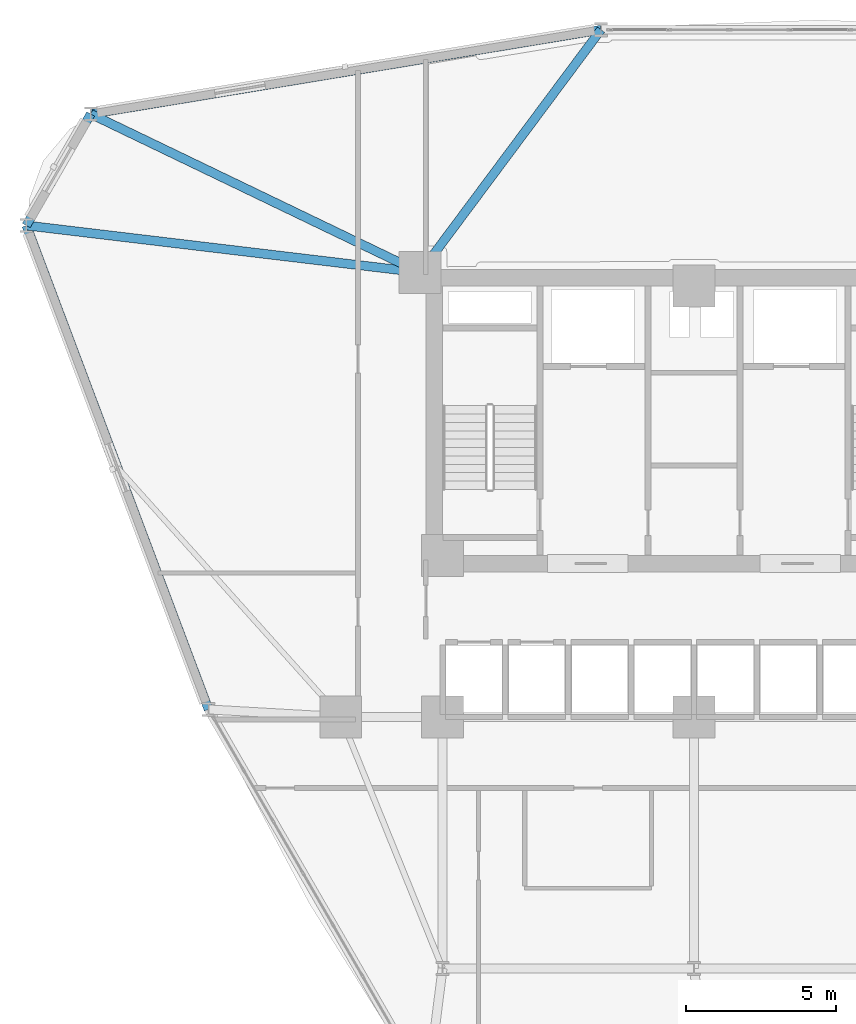
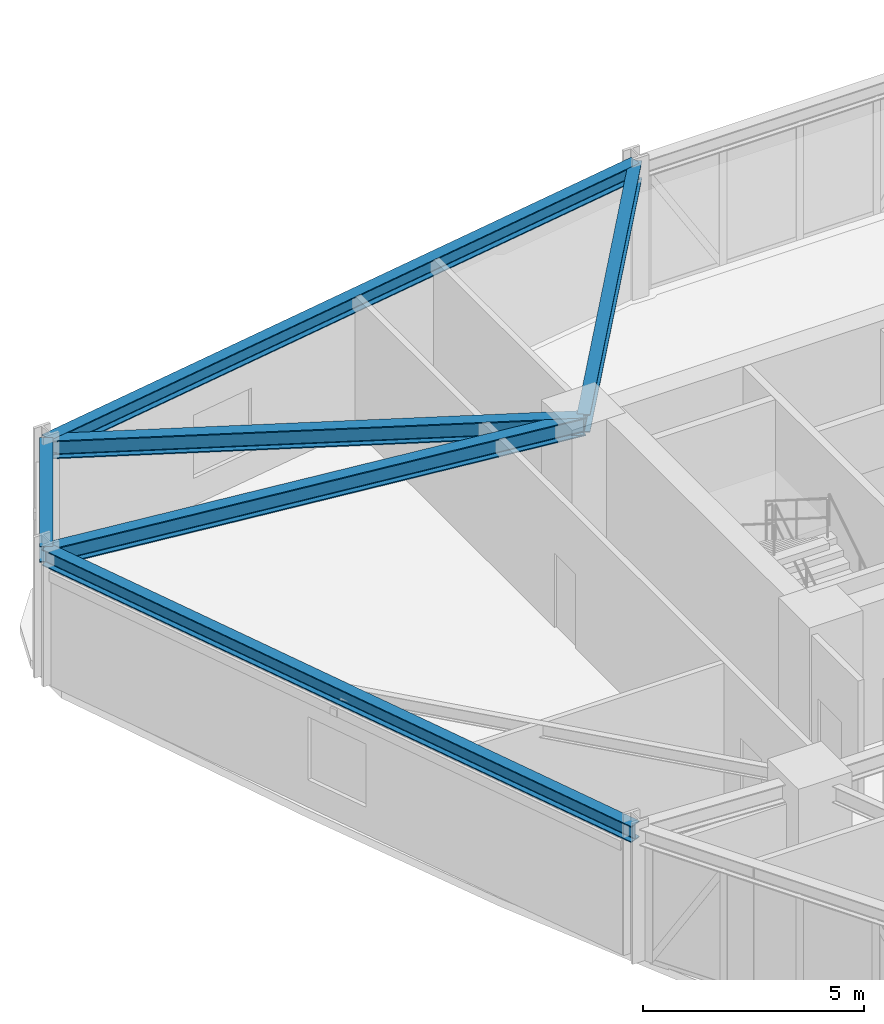
# One storey, part 9 of 20: 6 beams.
"""IFC4 building model written with IfcOpenShell, lengths in metres."""

from ifc_helpers import new_model, si_unit, derived_unit, direction, frame, origin, origin_2d, place, context, subcontext, project, spatial, i_section, extrude, source, transform, mapped, material, material_profile, profile_set, type_object, element, save


model = new_model("IFC4")

# Units and contexts
model_context = context("Model", 3, precision=1e-05, world=origin(), true_north=direction((0.0, 1.0)))
body_context = subcontext(model_context, "Body", "Model", "MODEL_VIEW")
ifc_project = project(units=[si_unit("LENGTHUNIT", "METRE"), si_unit("AREAUNIT", "SQUARE_METRE"), si_unit("VOLUMEUNIT", "CUBIC_METRE"), si_unit("PLANEANGLEUNIT", "RADIAN"), si_unit("MASSUNIT", "GRAM", prefix="KILO"), derived_unit("THERMALTRANSMITTANCEUNIT", [(si_unit("POWERUNIT", "WATT"), 1), (si_unit("LENGTHUNIT", "METRE"), -2), (si_unit("THERMODYNAMICTEMPERATUREUNIT", "KELVIN"), -1)])], contexts=[model_context])

# Site, building, storey
site_placement = place(None, origin())
site = spatial("IfcSite", under=ifc_project, at=site_placement, CompositionType="ELEMENT")
building_placement = place(site_placement, origin())
building = spatial("IfcBuilding", under=site, at=building_placement, Name="Korsvarv Bourse and Concert Hall", CompositionType="ELEMENT")
storey_placement = place(building_placement, frame((0.0, 0.0, 91.199951171875)))
storey = spatial("IfcBuildingStorey", under=building, at=storey_placement, Name="L22", CompositionType="ELEMENT", Elevation=91.199951171875)

# Beams
ifc_material = material(Name="Steel S355", Category="steel")
ifc_material_profile_1 = material_profile(ifc_material, i_section(OverallWidth=0.300048828125, OverallDepth=0.449951171875, WebThickness=0.013916015625, FlangeThickness=0.02587890625, FilletRadius=0.02099609375, at=origin_2d()), Name="HEB 450")
ifc_profile_set_1 = profile_set([ifc_material_profile_1], Name="Steel S355")
beam_type_1 = type_object("IfcBeamType", Name="BM-HEB450", PredefinedType="SPANDREL", material=ifc_profile_set_1)
shared_shape_1 = source(origin(), body_context, "Body", "SweptSolid", [
    extrude(i_section(OverallWidth=0.300048828125, OverallDepth=0.449951171875, WebThickness=0.013916015625, FlangeThickness=0.02587890625, FilletRadius=0.02099609375, at=origin_2d()), origin(), (0.0, 0.0, 1.0), 17.276123046875),
])
beam_1_placement = place(storey_placement, frame((13.695068359375, 48.819580078125, 3.455078125), z_axis=(0.352273841442, -0.935896971165, 0.0), x_axis=(0.935896971165, 0.352273841442, 0.0)))
element("IfcBeam", 1, at=beam_1_placement, inside=storey, type_object=beam_type_1, Name="L22 beam B-08", PredefinedType="SPANDREL", context=body_context, shape_type="MappedRepresentation", body=[
    mapped(shared_shape_1, transform((0.0, 0.0, 0.0), scale=1.0)),
])
shared_shape_2 = source(origin(), body_context, "Body", "SweptSolid", [
    extrude(i_section(OverallWidth=0.300048828125, OverallDepth=0.449951171875, WebThickness=0.013916015625, FlangeThickness=0.02587890625, FilletRadius=0.02099609375, at=origin_2d()), origin(), (0.0, 0.0, 1.0), 17.2763671875),
])
beam_2_placement = place(storey_placement, frame((32.89111328125, 55.35791015625, 3.455078125), z_axis=(-0.986648245525, -0.162865710332, 0.0), x_axis=(0.162865710332, -0.986648245525, 0.0)))
element("IfcBeam", 2, at=beam_2_placement, inside=storey, type_object=beam_type_1, Name="L22 beam B-08", PredefinedType="SPANDREL", context=body_context, shape_type="MappedRepresentation", body=[
    mapped(shared_shape_2, transform((0.0, 0.0, 0.0), scale=1.0)),
])
shared_shape_3 = source(origin(), body_context, "Body", "SweptSolid", [
    extrude(i_section(OverallWidth=0.300048828125, OverallDepth=0.449951171875, WebThickness=0.013916015625, FlangeThickness=0.02587890625, FilletRadius=0.02099609375, at=origin_2d()), origin(), (0.0, 0.0, 1.0), 4.30078125),
])
beam_3_placement = place(storey_placement, frame((15.845458984375, 52.544189453125, 3.455078125), z_axis=(-0.499997628298, -0.866026773083, 0.0), x_axis=(0.866026773083, -0.499997628298, 0.0)))
element("IfcBeam", 3, at=beam_3_placement, inside=storey, type_object=beam_type_1, Name="L22 beam B-08", PredefinedType="SPANDREL", context=body_context, shape_type="MappedRepresentation", body=[
    mapped(shared_shape_3, transform((0.0, 0.0, 0.0), scale=1.0)),
])
ifc_material_profile_2 = material_profile(ifc_material, i_section(OverallWidth=0.300048828125, OverallDepth=0.5, WebThickness=0.014404296875, FlangeThickness=0.028076171875, FilletRadius=0.02392578125, at=origin_2d()), Name="HEB 500")
ifc_profile_set_2 = profile_set([ifc_material_profile_2], Name="Steel S355")
beam_type_2 = type_object("IfcBeamType", Name="BM-HEB500", PredefinedType="BEAM", material=ifc_profile_set_2)
shared_shape_4 = source(origin(), body_context, "Body", "SweptSolid", [
    extrude(i_section(OverallWidth=0.300048828125, OverallDepth=0.5, WebThickness=0.014404296875, FlangeThickness=0.028076171875, FilletRadius=0.02392578125, at=origin_2d()), origin(), (0.0, 0.0, 1.0), 10.111083984375),
])
beam_4_placement = place(storey_placement, frame((32.89111328125, 55.35791015625, 3.429931640625), z_axis=(-0.597470362731, -0.801890993626, 0.0), x_axis=(0.801890993626, -0.597470362731, 0.0)))
element("IfcBeam", 4, at=beam_4_placement, inside=storey, type_object=beam_type_2, Name="L22 beam B-07", PredefinedType="BEAM", context=body_context, shape_type="MappedRepresentation", body=[
    mapped(shared_shape_4, transform((0.0, 0.0, 0.0), scale=1.0)),
])
shared_shape_5 = source(origin(), body_context, "Body", "SweptSolid", [
    extrude(i_section(OverallWidth=0.300048828125, OverallDepth=0.5, WebThickness=0.014404296875, FlangeThickness=0.028076171875, FilletRadius=0.02392578125, at=origin_2d()), origin(), (0.0, 0.0, 1.0), 12.2119140625),
])
beam_5_placement = place(storey_placement, frame((15.845458984375, 52.544189453125, 3.429931640625), z_axis=(0.901140543649, -0.433527070195, 0.0), x_axis=(0.433527070195, 0.901140543649, 0.0)))
element("IfcBeam", 5, at=beam_5_placement, inside=storey, type_object=beam_type_2, Name="L22 beam B-07", PredefinedType="BEAM", context=body_context, shape_type="MappedRepresentation", body=[
    mapped(shared_shape_5, transform((0.0, 0.0, 0.0), scale=1.0)),
])
shared_shape_6 = source(origin(), body_context, "Body", "SweptSolid", [
    extrude(i_section(OverallWidth=0.300048828125, OverallDepth=0.5, WebThickness=0.014404296875, FlangeThickness=0.028076171875, FilletRadius=0.02392578125, at=origin_2d()), origin(), (0.0, 0.0, 1.0), 13.248291015625),
])
beam_6_placement = place(storey_placement, frame((13.695068359375, 48.819580078125, 3.429931640625), z_axis=(0.992957183196, -0.11847376224, 0.0), x_axis=(0.11847376224, 0.992957183196, 0.0)))
element("IfcBeam", 6, at=beam_6_placement, inside=storey, type_object=beam_type_2, Name="L22 beam B-07", PredefinedType="BEAM", context=body_context, shape_type="MappedRepresentation", body=[
    mapped(shared_shape_6, transform((0.0, 0.0, 0.0), scale=1.0)),
])

save(model, "model.ifc")
